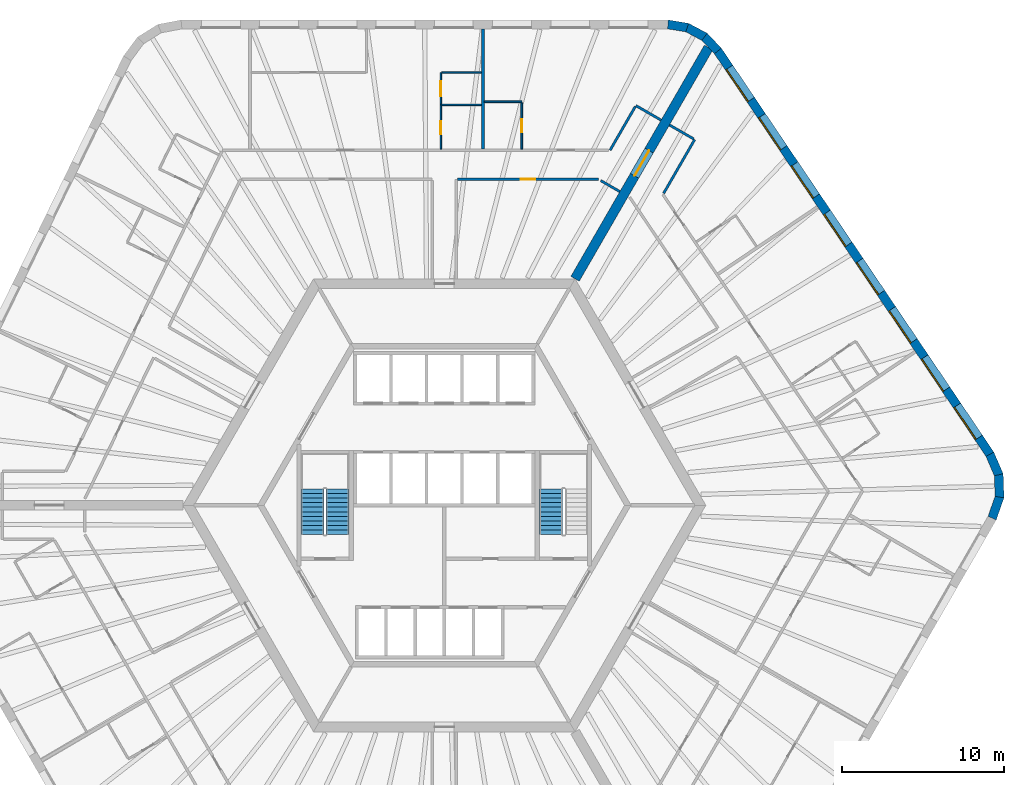
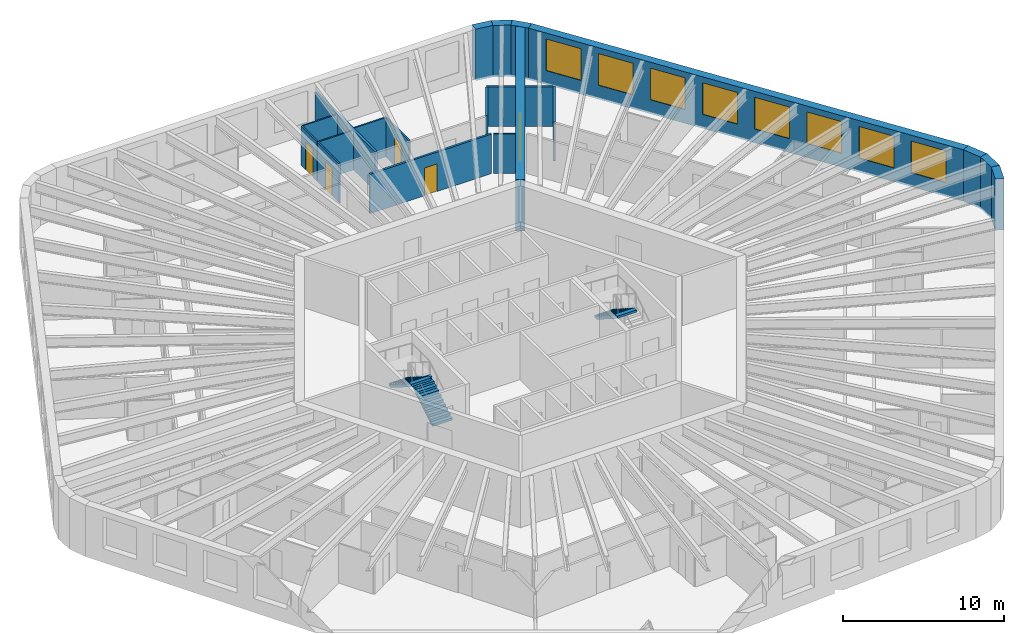
# One storey, part 10 of 12: 21 walls, 8 windows, 5 doors, 3 stair flights, 13 openings, 2 elements without a shape of their own.
"""IFC4 building model written with IfcOpenShell, lengths in metres."""

from ifc_helpers import new_model, si_unit, direction, frame, frame_2d, origin, place, context, subcontext, project, spatial, polyline, rectangle, outline, extrude, material, layer, layer_set, type_object, element, fill, aggregate, save


model = new_model("IFC4")

# Units and contexts
model_context = context("Model", 3, precision=1e-05, world=origin(), true_north=direction((0.0, 1.0)))
body_context = subcontext(model_context, "Body", "Model", "MODEL_VIEW")
ifc_project = project(units=[si_unit("LENGTHUNIT", "METRE"), si_unit("AREAUNIT", "SQUARE_METRE"), si_unit("VOLUMEUNIT", "CUBIC_METRE"), si_unit("PLANEANGLEUNIT", "RADIAN"), si_unit("MASSUNIT", "GRAM", prefix="KILO")], contexts=[model_context])

# Site, building, storey
site_placement = place(None, origin())
site = spatial("IfcSite", under=ifc_project, at=site_placement, CompositionType="ELEMENT")
building_placement = place(site_placement, origin())
building = spatial("IfcBuilding", under=site, at=building_placement, Name="Tarnside Tower", CompositionType="ELEMENT")
storey_placement = place(building_placement, frame((0.0, 0.0, 64.800048828125)))
storey = spatial("IfcBuildingStorey", under=building, at=storey_placement, Name="L13", CompositionType="ELEMENT", Elevation=64.800048828125)

# Wall
ifc_material_1 = material(Name="Gypsum board partition on steel studs", Category="steel")
ifc_layer_1 = layer(ifc_material_1, 0.10009765625)
ifc_layer_set_1 = layer_set([ifc_layer_1], Name="Bathroom wall 100")
wall_type_1 = type_object("IfcWallType", Name="Bathroom wall 100", PredefinedType="PARTITIONING", material=ifc_layer_set_1)
wall_1_placement = place(storey_placement, frame((2.47900390625, 24.949951171875, 0.0), z_axis=(0.0, 0.0, 1.0), x_axis=(1.0, 0.0, 0.0)))
element("IfcWall", 1, at=wall_1_placement, inside=storey, type_object=wall_type_1, Name="Bathroom wall 03072", PredefinedType="PARTITIONING", context=body_context, shape_type="SweptSolid", body=[
    extrude(rectangle(XDim=2.31005859375, YDim=0.10009765625, at=frame_2d((1.155029296875, 0.0))), origin(), (0.0, 0.0, 1.0), 2.98779296875),
])

# Wall, opening, door
wall_2_placement = place(storey_placement, frame((4.7890625, 24.89990234375, 0.0), z_axis=(0.0, 0.0, 1.0), x_axis=(0.0, -1.0, 0.0)))
wall_2 = element("IfcWall", 2, at=wall_2_placement, inside=storey, type_object=wall_type_1, Name="Bathroom wall 03073", PredefinedType="PARTITIONING", context=body_context, shape_type="SweptSolid", body=[
    extrude(rectangle(XDim=2.875, YDim=0.10009765625, at=frame_2d((1.4375, 0.0))), origin(), (0.0, 0.0, 1.0), 2.98779296875),
])
opening_1_placement = place(wall_2_placement, frame((1.050048828125, 0.0, 0.0)))
opening_1 = element("IfcOpeningElement", 3, at=opening_1_placement, cuts=wall_2, Name="Opening D-B1", PredefinedType="OPENING", context=body_context, shape_type="SweptSolid", body=[
    extrude(rectangle(XDim=0.800048828125, YDim=2.10009765625, at=frame_2d((0.39990234375, 1.050048828125))), frame((0.0, 0.06005859375, 0.0), z_axis=(0.0, -1.0, 0.0), x_axis=(1.0, 0.0, 0.0)), (0.0, 0.0, 1.0), 0.1201171875),
])
ifc_material_2 = material(Name="Timber door leaf", Category="wood")
door_type_1 = type_object("IfcDoorType", Name="Bathroom door 800", OperationType="NOTDEFINED", PredefinedType="DOOR", material=ifc_material_2)
door_1_placement = place(opening_1_placement, origin())
door_1 = element("IfcDoor", 4, at=door_1_placement, inside=storey, type_object=door_type_1, Name="Bathroom door 03002", OperationType="SINGLE_SWING_LEFT", OverallHeight=2.10009765625, OverallWidth=0.800048828125, PredefinedType="DOOR", context=body_context, shape_type="SweptSolid", body=[
    extrude(rectangle(XDim=0.800048828125, YDim=2.10009765625, at=frame_2d((0.39990234375, 1.050048828125))), frame((0.0, 0.02490234375, 0.0), z_axis=(0.0, -1.0, 0.0), x_axis=(1.0, 0.0, 0.0)), (0.0, 0.0, 1.0), 0.050048828125),
])
fill(opening_1, door_1)

wall_3_placement = place(storey_placement, frame((-0.2109375, 22.02490234375, 0.0), z_axis=(0.0, 0.0, 1.0), x_axis=(0.0, 1.0, 0.0)))
wall_3 = element("IfcWall", 5, at=wall_3_placement, inside=storey, type_object=wall_type_1, Name="Bathroom wall 03078", PredefinedType="PARTITIONING", context=body_context, shape_type="SweptSolid", body=[
    extrude(rectangle(XDim=2.72509765625, YDim=0.10009765625, at=frame_2d((1.362548828125, 0.0))), origin(), (0.0, 0.0, 1.0), 2.98779296875),
])
opening_2_placement = place(wall_3_placement, frame((0.925048828125, 0.0, 0.0)))
opening_2 = element("IfcOpeningElement", 6, at=opening_2_placement, cuts=wall_3, Name="Opening D-B1", PredefinedType="OPENING", context=body_context, shape_type="SweptSolid", body=[
    extrude(rectangle(XDim=0.800048828125, YDim=2.10009765625, at=frame_2d((0.39990234375, 1.050048828125))), frame((0.0, 0.06005859375, 0.0), z_axis=(0.0, -1.0, 0.0), x_axis=(1.0, 0.0, 0.0)), (0.0, 0.0, 1.0), 0.1201171875),
])
door_2_placement = place(opening_2_placement, origin())
door_2 = element("IfcDoor", 7, at=door_2_placement, inside=storey, type_object=door_type_1, Name="Bathroom door 03004", OperationType="SINGLE_SWING_RIGHT", OverallHeight=2.10009765625, OverallWidth=0.800048828125, PredefinedType="DOOR", context=body_context, shape_type="SweptSolid", body=[
    extrude(rectangle(XDim=0.800048828125, YDim=2.10009765625, at=frame_2d((0.39990234375, 1.050048828125))), frame((0.0, 0.02490234375, 0.0), z_axis=(0.0, -1.0, 0.0), x_axis=(1.0, 0.0, 0.0)), (0.0, 0.0, 1.0), 0.050048828125),
])
fill(opening_2, door_2)

# Wall
wall_4_placement = place(storey_placement, frame((2.298828125, 24.75, 0.0), z_axis=(0.0, 0.0, 1.0), x_axis=(-1.0, 0.0, 0.0)))
element("IfcWall", 8, at=wall_4_placement, inside=storey, type_object=wall_type_1, Name="Bathroom wall 03084", PredefinedType="PARTITIONING", context=body_context, shape_type="SweptSolid", body=[
    extrude(rectangle(XDim=2.4599609375, YDim=0.10009765625, at=frame_2d((1.22998046875, 0.0))), origin(), (0.0, 0.0, 1.0), 2.98779296875),
])

# Wall, opening, door
ifc_material_3 = material(Name="Concrete C80/95", Category="concrete")
ifc_layer_2 = layer(ifc_material_3, 0.60009765625)
ifc_layer_set_2 = layer_set([ifc_layer_2], Name="Core wall Z1 600 C80/95")
wall_type_2 = type_object("IfcWallType", Name="Core wall Z1 600 C80/95", PredefinedType="SHEAR", material=ifc_layer_set_2)
wall_5_placement = place(storey_placement, frame((8.0830078125, 14.0, -0.150146484375), z_axis=(0.0, 0.0, 1.0), x_axis=(0.499997680643, 0.866026742862, 0.0)))
wall_5 = element("IfcWall", 9, at=wall_5_placement, inside=storey, type_object=wall_type_2, Name="L13 spine wall 1", PredefinedType="SHEAR", context=body_context, shape_type="SweptSolid", body=[
    extrude(rectangle(XDim=16.5087890625, YDim=0.60009765625, at=frame_2d((8.25439453125, 0.0))), origin(), (0.0, 0.0, 1.0), 3.900146484375),
])
opening_3_placement = place(wall_5_placement, frame((7.3544921875, 0.0, 0.14990234375)))
opening_3 = element("IfcOpeningElement", 10, at=opening_3_placement, cuts=wall_5, Name="Opening CD-SPN", PredefinedType="OPENING", context=body_context, shape_type="SweptSolid", body=[
    extrude(rectangle(XDim=1.800048828125, YDim=2.39990234375, at=frame_2d((0.89990234375, 1.199951171875))), frame((0.0, 0.31005859375, 0.0), z_axis=(0.0, -1.0, 0.0), x_axis=(1.0, 0.0, 0.0)), (0.0, 0.0, 1.0), 0.6201171875),
])
ifc_material_4 = material(Name="Steel fire door", Category="steel")
door_type_2 = type_object("IfcDoorType", Name="Spine passage double door FD60 1800x2400", OperationType="NOTDEFINED", PredefinedType="DOOR", material=ifc_material_4)
door_3_placement = place(opening_3_placement, origin())
door_3 = element("IfcDoor", 11, at=door_3_placement, inside=storey, type_object=door_type_2, Name="L13 spine passage door 1", OperationType="DOUBLE_DOOR_SINGLE_SWING", OverallHeight=2.39990234375, OverallWidth=1.800048828125, PredefinedType="DOOR", context=body_context, shape_type="SweptSolid", body=[
    extrude(rectangle(XDim=1.800048828125, YDim=2.39990234375, at=frame_2d((0.89990234375, 1.199951171875))), frame((0.0, 0.02490234375, 0.0), z_axis=(0.0, -1.0, 0.0), x_axis=(1.0, 0.0, 0.0)), (0.0, 0.0, 1.0), 0.050048828125),
])
fill(opening_3, door_3)

# Walls
ifc_layer_3 = layer(ifc_material_1, 0.14990234375)
ifc_layer_set_3 = layer_set([ifc_layer_3], Name="Corridor wall 150 EI 60")
wall_type_3 = type_object("IfcWallType", Name="Corridor wall 150 EI 60", PredefinedType="PARTITIONING", material=ifc_layer_set_3)
wall_6_placement = place(storey_placement, frame((13.400390625, 23.81005859375, 0.0), z_axis=(0.0, 0.0, 1.0), x_axis=(-0.865989075817, 0.500062916607, 0.0)))
element("IfcWall", 12, at=wall_6_placement, inside=storey, type_object=wall_type_3, Name="Corridor wall 03001", PredefinedType="PARTITIONING", context=body_context, shape_type="SweptSolid", body=[
    extrude(rectangle(XDim=1.800048828125, YDim=0.14990234375, at=frame_2d((0.89990234375, 0.0))), origin(), (0.0, 0.0, 1.0), 2.98779296875),
])
wall_7_placement = place(storey_placement, frame((11.803955078125, 24.64501953125, 0.0), z_axis=(0.0, 0.0, 1.0), x_axis=(-0.499978251519, -0.866037959912, 0.0)))
element("IfcWall", 13, at=wall_7_placement, inside=storey, type_object=wall_type_3, Name="Corridor wall 03002", PredefinedType="PARTITIONING", context=body_context, shape_type="SweptSolid", body=[
    extrude(rectangle(XDim=3.112060546875, YDim=0.14990234375, at=frame_2d((1.55615234375, 0.0))), origin(), (0.0, 0.0, 1.0), 2.98779296875),
])

# Wall, opening, door
wall_8_placement = place(storey_placement, frame((0.824951171875, 20.14990234375, 0.0), z_axis=(0.0, 0.0, 1.0), x_axis=(1.0, 0.0, 0.0)))
wall_8 = element("IfcWall", 14, at=wall_8_placement, inside=storey, type_object=wall_type_3, Name="Corridor wall 03022", PredefinedType="PARTITIONING", context=body_context, shape_type="SweptSolid", body=[
    extrude(rectangle(XDim=8.712158203125, YDim=0.14990234375, at=frame_2d((4.35595703125, 0.0))), origin(), (0.0, 0.0, 1.0), 2.98779296875),
])
opening_4_placement = place(wall_8_placement, frame((3.906005859375, 0.0, 0.0)))
opening_4 = element("IfcOpeningElement", 15, at=opening_4_placement, cuts=wall_8, Name="Opening D-S1", PredefinedType="OPENING", context=body_context, shape_type="SweptSolid", body=[
    extrude(rectangle(XDim=0.89990234375, YDim=2.10009765625, at=frame_2d((0.449951171875, 1.050048828125))), frame((0.0, 0.0849609375, 0.0), z_axis=(0.0, -1.0, 0.0), x_axis=(1.0, 0.0, 0.0)), (0.0, 0.0, 1.0), 0.169921875),
])
door_type_3 = type_object("IfcDoorType", Name="Service room door 900 FD30S", OperationType="NOTDEFINED", PredefinedType="DOOR", material=ifc_material_2)
door_4_placement = place(opening_4_placement, origin())
door_4 = element("IfcDoor", 16, at=door_4_placement, inside=storey, type_object=door_type_3, Name="Service door 03040", OperationType="SINGLE_SWING_RIGHT", OverallHeight=2.10009765625, OverallWidth=0.89990234375, PredefinedType="DOOR", context=body_context, shape_type="SweptSolid", body=[
    extrude(rectangle(XDim=0.89990234375, YDim=2.10009765625, at=frame_2d((0.449951171875, 1.050048828125))), frame((0.0, 0.02490234375, 0.0), z_axis=(0.0, -1.0, 0.0), x_axis=(1.0, 0.0, 0.0)), (0.0, 0.0, 1.0), 0.050048828125),
])
fill(opening_4, door_4)

# Walls
wall_9_placement = place(storey_placement, frame((9.6669921875, 20.074951171875, 0.0), z_axis=(0.0, 0.0, 1.0), x_axis=(0.866000994684, -0.500042275419, 0.0)))
element("IfcWall", 17, at=wall_9_placement, inside=storey, type_object=wall_type_3, Name="Corridor wall 03023", PredefinedType="PARTITIONING", context=body_context, shape_type="SweptSolid", body=[
    extrude(rectangle(XDim=1.36572265625, YDim=0.14990234375, at=frame_2d((0.682861328125, 0.0))), origin(), (0.0, 0.0, 1.0), 2.98779296875),
])
wall_10_placement = place(storey_placement, frame((13.55908203125, 19.284912109375, 0.0), z_axis=(0.0, 0.0, 1.0), x_axis=(0.499975646431, 0.866039463868, 0.0)))
element("IfcWall", 18, at=wall_10_placement, inside=storey, type_object=wall_type_3, Name="Corridor wall 03060", PredefinedType="PARTITIONING", context=body_context, shape_type="SweptSolid", body=[
    extrude(rectangle(XDim=3.839599609375, YDim=0.14990234375, at=frame_2d((1.919921875, 0.0))), origin(), (0.0, 0.0, 1.0), 2.98779296875),
])
wall_11_placement = place(storey_placement, frame((15.413818359375, 22.647705078125, 0.0), z_axis=(0.0, 0.0, 1.0), x_axis=(-0.866074815912, 0.499914405916, 0.0)))
element("IfcWall", 19, at=wall_11_placement, inside=storey, type_object=wall_type_3, Name="Corridor wall 03061", PredefinedType="PARTITIONING", context=body_context, shape_type="SweptSolid", body=[
    extrude(rectangle(XDim=1.724853515625, YDim=0.14990234375, at=frame_2d((0.8623046875, 0.0))), origin(), (0.0, 0.0, 1.0), 2.98779296875),
])
ifc_layer_4 = layer(ifc_material_1, 0.179931640625)
ifc_layer_set_4 = layer_set([ifc_layer_4], Name="Demising wall 180 EI 60")
wall_type_4 = type_object("IfcWallType", Name="Demising wall 180 EI 60", PredefinedType="PARTITIONING", material=ifc_layer_set_4)
wall_12_placement = place(storey_placement, frame((2.388916015625, 29.449951171875, 0.0), z_axis=(0.0, 0.0, 1.0), x_axis=(0.0, -1.0, 0.0)))
element("IfcWall", 20, at=wall_12_placement, inside=storey, type_object=wall_type_4, Name="Demising wall 03074", PredefinedType="PARTITIONING", context=body_context, shape_type="SweptSolid", body=[
    extrude(rectangle(XDim=7.425048828125, YDim=0.179931640625, at=frame_2d((3.71240234375, 0.0))), origin(), (0.0, 0.0, 1.0), 2.98779296875),
])

# Wall, opening, door
ifc_layer_5 = layer(ifc_material_1, 0.10009765625)
ifc_layer_set_5 = layer_set([ifc_layer_5], Name="Partition 100")
wall_type_5 = type_object("IfcWallType", Name="Partition 100", PredefinedType="PARTITIONING", material=ifc_layer_set_5)
wall_13_placement = place(storey_placement, frame((-0.2109375, 24.800048828125, 0.0), z_axis=(0.0, 0.0, 1.0), x_axis=(0.0, 1.0, 0.0)))
wall_13 = element("IfcWall", 21, at=wall_13_placement, inside=storey, type_object=wall_type_5, Name="Partition wall 03079", PredefinedType="PARTITIONING", context=body_context, shape_type="SweptSolid", body=[
    extrude(rectangle(XDim=1.949951171875, YDim=0.10009765625, at=frame_2d((0.97509765625, 0.0))), origin(), (0.0, 0.0, 1.0), 2.98779296875),
])
opening_5_placement = place(wall_13_placement, frame((0.5, 0.0, 0.0)))
opening_5 = element("IfcOpeningElement", 22, at=opening_5_placement, cuts=wall_13, Name="Opening D-I1", PredefinedType="OPENING", context=body_context, shape_type="SweptSolid", body=[
    extrude(rectangle(XDim=0.89990234375, YDim=2.10009765625, at=frame_2d((0.449951171875, 1.050048828125))), frame((0.0, 0.06005859375, 0.0), z_axis=(0.0, -1.0, 0.0), x_axis=(1.0, 0.0, 0.0)), (0.0, 0.0, 1.0), 0.1201171875),
])
door_type_4 = type_object("IfcDoorType", Name="Internal door 900", OperationType="NOTDEFINED", PredefinedType="DOOR", material=ifc_material_2)
door_5_placement = place(opening_5_placement, origin())
door_5 = element("IfcDoor", 23, at=door_5_placement, inside=storey, type_object=door_type_4, Name="Internal door 03005", OperationType="SINGLE_SWING_RIGHT", OverallHeight=2.10009765625, OverallWidth=0.89990234375, PredefinedType="DOOR", context=body_context, shape_type="SweptSolid", body=[
    extrude(rectangle(XDim=0.89990234375, YDim=2.10009765625, at=frame_2d((0.449951171875, 1.050048828125))), frame((0.0, 0.02490234375, 0.0), z_axis=(0.0, -1.0, 0.0), x_axis=(1.0, 0.0, 0.0)), (0.0, 0.0, 1.0), 0.050048828125),
])
fill(opening_5, door_5)

# Walls
wall_14_placement = place(storey_placement, frame((-0.1611328125, 26.75, 0.0), z_axis=(0.0, 0.0, 1.0), x_axis=(1.0, 0.0, 0.0)))
element("IfcWall", 24, at=wall_14_placement, inside=storey, type_object=wall_type_5, Name="Partition wall 03080", PredefinedType="PARTITIONING", context=body_context, shape_type="SweptSolid", body=[
    extrude(rectangle(XDim=2.4599609375, YDim=0.10009765625, at=frame_2d((1.22998046875, 0.0))), origin(), (0.0, 0.0, 1.0), 2.98779296875),
])
ifc_material_5 = material(Name="Facing brick", Category="masonry")
ifc_layer_6 = layer(ifc_material_5, 0.10205078125)
ifc_material_6 = material(Name="Concrete C60/75 precast", Category="concrete")
ifc_layer_7 = layer(ifc_material_6, 0.347900390625)
ifc_material_7 = material(Name="Mineral wool insulation")
ifc_layer_8 = layer(ifc_material_7, 0.10009765625)
ifc_layer_set_6 = layer_set([ifc_layer_6, ifc_layer_7, ifc_layer_8], Name="Tube wall 550 brick faced")
wall_type_6 = type_object("IfcWallType", Name="Tube wall 550 brick faced", PredefinedType="SOLIDWALL", material=ifc_layer_set_6)
wall_15_placement = place(storey_placement, frame((33.865966796875, -0.79248046875, -0.150146484375), z_axis=(0.0, 0.0, 1.0), x_axis=(0.33111537203, 0.943590276765, 0.0)))
element("IfcWall", 25, at=wall_15_placement, inside=storey, type_object=wall_type_6, Name="Tube wall L13 F5 chord 17", PredefinedType="SOLIDWALL", context=body_context, shape_type="SweptSolid", body=[
    extrude(outline(polyline([(-0.025634765625, -0.27490234375), (1.4306640625, -0.27490234375), (1.3271484375, 0.27490234375), (0.025634765625, 0.27490234375), (-0.025634765625, -0.27490234375)])), origin(), (0.0, 0.0, 1.0), 3.900146484375),
])
wall_16_placement = place(storey_placement, frame((34.322509765625, 0.508544921875, -0.150146484375), z_axis=(0.0, 0.0, 1.0), x_axis=(-0.034876908462, 0.999391615562, 0.0)))
element("IfcWall", 26, at=wall_16_placement, inside=storey, type_object=wall_type_6, Name="Tube wall L13 F5 chord 18", PredefinedType="SOLIDWALL", context=body_context, shape_type="SweptSolid", body=[
    extrude(outline(polyline([(-0.0517578125, -0.27490234375), (1.4306640625, -0.27490234375), (1.3271484375, 0.27490234375), (0.0517578125, 0.27490234375), (-0.0517578125, -0.27490234375)])), origin(), (0.0, 0.0, 1.0), 3.900146484375),
])
wall_17_placement = place(storey_placement, frame((34.2744140625, 1.88671875, -0.150146484375), z_axis=(0.0, 0.0, 1.0), x_axis=(-0.396161342798, 0.918180913803, 0.0)))
element("IfcWall", 27, at=wall_17_placement, inside=storey, type_object=wall_type_6, Name="Tube wall L13 F5 chord 19", PredefinedType="SOLIDWALL", context=body_context, shape_type="SweptSolid", body=[
    extrude(outline(polyline([(-0.0517578125, -0.27490234375), (1.40478515625, -0.27490234375), (1.353515625, 0.27490234375), (0.0517578125, 0.27490234375), (-0.0517578125, -0.27490234375)])), origin(), (0.0, 0.0, 1.0), 3.900146484375),
])

# Wall, openings, windows
wall_18_placement = place(storey_placement, frame((33.72802734375, 3.153076171875, -0.150146484375), z_axis=(0.0, 0.0, 1.0), x_axis=(-0.559192411416, 0.82903790445, 0.0)))
wall_18 = element("IfcWall", 28, at=wall_18_placement, inside=storey, type_object=wall_type_6, Name="Tube wall L13 F6 flush 20", PredefinedType="SOLIDWALL", context=body_context, shape_type="SweptSolid", body=[
    extrude(outline(polyline([(-0.025634765625, -0.27490234375), (30.09326171875, -0.27490234375), (30.04833984375, 0.27490234375), (0.025634765625, 0.27490234375), (-0.025634765625, -0.27490234375)])), origin(), (0.0, 0.0, 1.0), 3.900146484375),
])
opening_6_placement = place(wall_18_placement, frame((1.235595703125, 0.0, 1.050048828125)))
opening_6 = element("IfcOpeningElement", 29, at=opening_6_placement, cuts=wall_18, Name="Opening WH", PredefinedType="OPENING", context=body_context, shape_type="SweptSolid", body=[
    extrude(rectangle(XDim=2.39990234375, YDim=2.39990234375, at=frame_2d((1.199951171875, 1.199951171875))), frame((0.0, 0.28515625, 0.0), z_axis=(0.0, -1.0, 0.0), x_axis=(1.0, 0.0, 0.0)), (0.0, 0.0, 1.0), 0.570068359375),
])
opening_7_placement = place(wall_18_placement, frame((4.83544921875, 0.0, 1.050048828125)))
opening_7 = element("IfcOpeningElement", 30, at=opening_7_placement, cuts=wall_18, Name="Opening WH", PredefinedType="OPENING", context=body_context, shape_type="SweptSolid", body=[
    extrude(rectangle(XDim=2.39990234375, YDim=2.39990234375, at=frame_2d((1.199951171875, 1.199951171875))), frame((0.0, 0.28515625, 0.0), z_axis=(0.0, -1.0, 0.0), x_axis=(1.0, 0.0, 0.0)), (0.0, 0.0, 1.0), 0.570068359375),
])
opening_8_placement = place(wall_18_placement, frame((8.435546875, 0.0, 1.050048828125)))
opening_8 = element("IfcOpeningElement", 31, at=opening_8_placement, cuts=wall_18, Name="Opening WH", PredefinedType="OPENING", context=body_context, shape_type="SweptSolid", body=[
    extrude(rectangle(XDim=2.39990234375, YDim=2.39990234375, at=frame_2d((1.199951171875, 1.199951171875))), frame((0.0, 0.28515625, 0.0), z_axis=(0.0, -1.0, 0.0), x_axis=(1.0, 0.0, 0.0)), (0.0, 0.0, 1.0), 0.570068359375),
])
opening_9_placement = place(wall_18_placement, frame((12.035400390625, 0.0, 1.050048828125)))
opening_9 = element("IfcOpeningElement", 32, at=opening_9_placement, cuts=wall_18, Name="Opening WH", PredefinedType="OPENING", context=body_context, shape_type="SweptSolid", body=[
    extrude(rectangle(XDim=2.39990234375, YDim=2.39990234375, at=frame_2d((1.199951171875, 1.199951171875))), frame((0.0, 0.28515625, 0.0), z_axis=(0.0, -1.0, 0.0), x_axis=(1.0, 0.0, 0.0)), (0.0, 0.0, 1.0), 0.570068359375),
])
opening_10_placement = place(wall_18_placement, frame((15.635498046875, 0.0, 1.050048828125)))
opening_10 = element("IfcOpeningElement", 33, at=opening_10_placement, cuts=wall_18, Name="Opening WH", PredefinedType="OPENING", context=body_context, shape_type="SweptSolid", body=[
    extrude(rectangle(XDim=2.39990234375, YDim=2.39990234375, at=frame_2d((1.199951171875, 1.199951171875))), frame((0.0, 0.28515625, 0.0), z_axis=(0.0, -1.0, 0.0), x_axis=(1.0, 0.0, 0.0)), (0.0, 0.0, 1.0), 0.570068359375),
])
opening_11_placement = place(wall_18_placement, frame((19.235595703125, 0.0, 1.050048828125)))
opening_11 = element("IfcOpeningElement", 34, at=opening_11_placement, cuts=wall_18, Name="Opening WH", PredefinedType="OPENING", context=body_context, shape_type="SweptSolid", body=[
    extrude(rectangle(XDim=2.39990234375, YDim=2.39990234375, at=frame_2d((1.199951171875, 1.199951171875))), frame((0.0, 0.28515625, 0.0), z_axis=(0.0, -1.0, 0.0), x_axis=(1.0, 0.0, 0.0)), (0.0, 0.0, 1.0), 0.570068359375),
])
opening_12_placement = place(wall_18_placement, frame((22.83544921875, 0.0, 1.050048828125)))
opening_12 = element("IfcOpeningElement", 35, at=opening_12_placement, cuts=wall_18, Name="Opening WH", PredefinedType="OPENING", context=body_context, shape_type="SweptSolid", body=[
    extrude(rectangle(XDim=2.39990234375, YDim=2.39990234375, at=frame_2d((1.199951171875, 1.199951171875))), frame((0.0, 0.28515625, 0.0), z_axis=(0.0, -1.0, 0.0), x_axis=(1.0, 0.0, 0.0)), (0.0, 0.0, 1.0), 0.570068359375),
])
opening_13_placement = place(wall_18_placement, frame((26.435546875, 0.0, 1.050048828125)))
opening_13 = element("IfcOpeningElement", 36, at=opening_13_placement, cuts=wall_18, Name="Opening WH", PredefinedType="OPENING", context=body_context, shape_type="SweptSolid", body=[
    extrude(rectangle(XDim=2.39990234375, YDim=2.39990234375, at=frame_2d((1.199951171875, 1.199951171875))), frame((0.0, 0.28515625, 0.0), z_axis=(0.0, -1.0, 0.0), x_axis=(1.0, 0.0, 0.0)), (0.0, 0.0, 1.0), 0.570068359375),
])
ifc_material_8 = material(Name="Aluminium-framed double glazing", Category="aluminium")
window_type = type_object("IfcWindowType", Name="Hotel window 2400 x 2400", PartitioningType="DOUBLE_PANEL_VERTICAL", PredefinedType="WINDOW", material=ifc_material_8)
window_1_placement = place(opening_6_placement, frame((0.0, 0.205078125, 0.0)))
window_1 = element("IfcWindow", 37, at=window_1_placement, inside=storey, type_object=window_type, Name="E.WN.L13.F6.00", OverallHeight=2.39990234375, OverallWidth=2.39990234375, PartitioningType="DOUBLE_PANEL_VERTICAL", PredefinedType="WINDOW", context=body_context, shape_type="SweptSolid", body=[
    extrude(rectangle(XDim=2.39990234375, YDim=2.39990234375, at=frame_2d((1.199951171875, 1.199951171875))), frame((0.0, 0.030029296875, 0.0), z_axis=(0.0, -1.0, 0.0), x_axis=(1.0, 0.0, 0.0)), (0.0, 0.0, 1.0), 0.06005859375),
])
fill(opening_6, window_1)
window_2_placement = place(opening_7_placement, frame((0.0, 0.205078125, 0.0)))
window_2 = element("IfcWindow", 38, at=window_2_placement, inside=storey, type_object=window_type, Name="E.WN.L13.F6.01", OverallHeight=2.39990234375, OverallWidth=2.39990234375, PartitioningType="DOUBLE_PANEL_VERTICAL", PredefinedType="WINDOW", context=body_context, shape_type="SweptSolid", body=[
    extrude(rectangle(XDim=2.39990234375, YDim=2.39990234375, at=frame_2d((1.199951171875, 1.199951171875))), frame((0.0, 0.030029296875, 0.0), z_axis=(0.0, -1.0, 0.0), x_axis=(1.0, 0.0, 0.0)), (0.0, 0.0, 1.0), 0.06005859375),
])
fill(opening_7, window_2)
window_3_placement = place(opening_8_placement, frame((0.0, 0.205078125, 0.0)))
window_3 = element("IfcWindow", 39, at=window_3_placement, inside=storey, type_object=window_type, Name="E.WN.L13.F6.02", OverallHeight=2.39990234375, OverallWidth=2.39990234375, PartitioningType="DOUBLE_PANEL_VERTICAL", PredefinedType="WINDOW", context=body_context, shape_type="SweptSolid", body=[
    extrude(rectangle(XDim=2.39990234375, YDim=2.39990234375, at=frame_2d((1.199951171875, 1.199951171875))), frame((0.0, 0.030029296875, 0.0), z_axis=(0.0, -1.0, 0.0), x_axis=(1.0, 0.0, 0.0)), (0.0, 0.0, 1.0), 0.06005859375),
])
fill(opening_8, window_3)
window_4_placement = place(opening_9_placement, frame((0.0, 0.205078125, 0.0)))
window_4 = element("IfcWindow", 40, at=window_4_placement, inside=storey, type_object=window_type, Name="E.WN.L13.F6.03", OverallHeight=2.39990234375, OverallWidth=2.39990234375, PartitioningType="DOUBLE_PANEL_VERTICAL", PredefinedType="WINDOW", context=body_context, shape_type="SweptSolid", body=[
    extrude(rectangle(XDim=2.39990234375, YDim=2.39990234375, at=frame_2d((1.199951171875, 1.199951171875))), frame((0.0, 0.030029296875, 0.0), z_axis=(0.0, -1.0, 0.0), x_axis=(1.0, 0.0, 0.0)), (0.0, 0.0, 1.0), 0.06005859375),
])
fill(opening_9, window_4)
window_5_placement = place(opening_10_placement, frame((0.0, 0.205078125, 0.0)))
window_5 = element("IfcWindow", 41, at=window_5_placement, inside=storey, type_object=window_type, Name="E.WN.L13.F6.04", OverallHeight=2.39990234375, OverallWidth=2.39990234375, PartitioningType="DOUBLE_PANEL_VERTICAL", PredefinedType="WINDOW", context=body_context, shape_type="SweptSolid", body=[
    extrude(rectangle(XDim=2.39990234375, YDim=2.39990234375, at=frame_2d((1.199951171875, 1.199951171875))), frame((0.0, 0.030029296875, 0.0), z_axis=(0.0, -1.0, 0.0), x_axis=(1.0, 0.0, 0.0)), (0.0, 0.0, 1.0), 0.06005859375),
])
fill(opening_10, window_5)
window_6_placement = place(opening_11_placement, frame((0.0, 0.205078125, 0.0)))
window_6 = element("IfcWindow", 42, at=window_6_placement, inside=storey, type_object=window_type, Name="E.WN.L13.F6.05", OverallHeight=2.39990234375, OverallWidth=2.39990234375, PartitioningType="DOUBLE_PANEL_VERTICAL", PredefinedType="WINDOW", context=body_context, shape_type="SweptSolid", body=[
    extrude(rectangle(XDim=2.39990234375, YDim=2.39990234375, at=frame_2d((1.199951171875, 1.199951171875))), frame((0.0, 0.030029296875, 0.0), z_axis=(0.0, -1.0, 0.0), x_axis=(1.0, 0.0, 0.0)), (0.0, 0.0, 1.0), 0.06005859375),
])
fill(opening_11, window_6)
window_7_placement = place(opening_12_placement, frame((0.0, 0.205078125, 0.0)))
window_7 = element("IfcWindow", 43, at=window_7_placement, inside=storey, type_object=window_type, Name="E.WN.L13.F6.06", OverallHeight=2.39990234375, OverallWidth=2.39990234375, PartitioningType="DOUBLE_PANEL_VERTICAL", PredefinedType="WINDOW", context=body_context, shape_type="SweptSolid", body=[
    extrude(rectangle(XDim=2.39990234375, YDim=2.39990234375, at=frame_2d((1.199951171875, 1.199951171875))), frame((0.0, 0.030029296875, 0.0), z_axis=(0.0, -1.0, 0.0), x_axis=(1.0, 0.0, 0.0)), (0.0, 0.0, 1.0), 0.06005859375),
])
fill(opening_12, window_7)
window_8_placement = place(opening_13_placement, frame((0.0, 0.205078125, 0.0)))
window_8 = element("IfcWindow", 44, at=window_8_placement, inside=storey, type_object=window_type, Name="E.WN.L13.F6.07", OverallHeight=2.39990234375, OverallWidth=2.39990234375, PartitioningType="DOUBLE_PANEL_VERTICAL", PredefinedType="WINDOW", context=body_context, shape_type="SweptSolid", body=[
    extrude(rectangle(XDim=2.39990234375, YDim=2.39990234375, at=frame_2d((1.199951171875, 1.199951171875))), frame((0.0, 0.030029296875, 0.0), z_axis=(0.0, -1.0, 0.0), x_axis=(1.0, 0.0, 0.0)), (0.0, 0.0, 1.0), 0.06005859375),
])
fill(opening_13, window_8)

# Walls
wall_19_placement = place(storey_placement, frame((16.91259765625, 28.0830078125, -0.150146484375), z_axis=(0.0, 0.0, 1.0), x_axis=(-0.686196220404, 0.727416488061, 0.0)))
element("IfcWall", 45, at=wall_19_placement, inside=storey, type_object=wall_type_6, Name="Tube wall L13 F6 chord 21", PredefinedType="SOLIDWALL", context=body_context, shape_type="SweptSolid", body=[
    extrude(outline(polyline([(-0.0224609375, -0.27490234375), (1.25341796875, -0.27490234375), (1.1630859375, 0.27490234375), (0.0224609375, 0.27490234375), (-0.0224609375, -0.27490234375)])), origin(), (0.0, 0.0, 1.0), 3.900146484375),
])
wall_20_placement = place(storey_placement, frame((16.08349609375, 28.9619140625, -0.150146484375), z_axis=(0.0, 0.0, 1.0), x_axis=(-0.882995347911, 0.469381737574, 0.0)))
element("IfcWall", 46, at=wall_20_placement, inside=storey, type_object=wall_type_6, Name="Tube wall L13 F6 chord 22", PredefinedType="SOLIDWALL", context=body_context, shape_type="SweptSolid", body=[
    extrude(outline(polyline([(-0.045166015625, -0.27490234375), (1.25341796875, -0.27490234375), (1.1630859375, 0.27490234375), (0.045166015625, 0.27490234375), (-0.045166015625, -0.27490234375)])), origin(), (0.0, 0.0, 1.0), 3.900146484375),
])
wall_21_placement = place(storey_placement, frame((15.0166015625, 29.529052734375, -0.150146484375), z_axis=(0.0, 0.0, 1.0), x_axis=(-0.986746625868, 0.162268593195, 0.0)))
element("IfcWall", 47, at=wall_21_placement, inside=storey, type_object=wall_type_6, Name="Tube wall L13 F6 chord 23", PredefinedType="SOLIDWALL", context=body_context, shape_type="SweptSolid", body=[
    extrude(outline(polyline([(-0.045166015625, -0.27490234375), (1.230712890625, -0.27490234375), (1.185791015625, 0.27490234375), (0.045166015625, 0.27490234375), (-0.045166015625, -0.27490234375)])), origin(), (0.0, 0.0, 1.0), 3.900146484375),
])

# Stair, stair flight
ifc_material_9 = material(Name="Concrete C40/50", Category="concrete")
stair_type = type_object("IfcStairType", Name="Exit stair 1400 clear", PredefinedType="HALF_TURN_STAIR", material=ifc_material_9)
stair_1_placement = place(storey_placement, origin())
stair_1 = element("IfcStair", 48, at=stair_1_placement, inside=storey, type_object=stair_type, Name="L13 Exit stair 1", PredefinedType="HALF_TURN_STAIR")
stair_flight_type = type_object("IfcStairFlightType", Name="Exit stair flight 1400", PredefinedType="STRAIGHT", material=ifc_material_9)
stair_flight_1_placement = place(storey_placement, frame((6.60009765625, 1.0, 1.949951171875), z_axis=(0.0, 0.0, 1.0), x_axis=(0.0, -1.0, 0.0)))
stair_flight_1 = element("IfcStairFlight", 49, at=stair_flight_1_placement, type_object=stair_flight_type, Name="ST1 flight 2", NumberOfRisers=11, NumberOfTreads=10, PredefinedType="STRAIGHT", RiserHeight=0.177272727, TreadLength=0.28, context=body_context, shape_type="SweptSolid", body=[
    extrude(outline(polyline([(0.0, 0.0), (0.0, 0.17724609375), (0.280029296875, 0.17724609375), (0.280029296875, 0.3544921875), (0.56005859375, 0.3544921875), (0.56005859375, 0.53173828125), (0.840087890625, 0.53173828125), (0.840087890625, 0.708984375), (1.1201171875, 0.708984375), (1.1201171875, 0.886474609375), (1.39990234375, 0.886474609375), (1.39990234375, 1.063720703125), (1.679931640625, 1.063720703125), (1.679931640625, 1.240966796875), (1.9599609375, 1.240966796875), (1.9599609375, 1.418212890625), (2.239990234375, 1.418212890625), (2.239990234375, 1.595458984375), (2.52001953125, 1.595458984375), (2.52001953125, 1.772705078125), (2.800048828125, 1.772705078125), (2.800048828125, 1.949951171875), (2.800048828125, 1.59521484375), (0.2802734375, 0.0), (0.0, 0.0)])), frame((0.0, 0.699951171875, 0.0), z_axis=(0.0, -1.0, 0.0), x_axis=(1.0, 0.0, 0.0)), (0.0, 0.0, 1.0), 1.39990234375),
])
aggregate(stair_1, [stair_flight_1])

# Stair, stair flights
stair_2_placement = place(storey_placement, origin())
stair_2 = element("IfcStair", 50, at=stair_2_placement, inside=storey, type_object=stair_type, Name="L13 Exit stair 2", PredefinedType="HALF_TURN_STAIR")
stair_flight_2_placement = place(storey_placement, frame((-6.60009765625, -1.800048828125, 0.0), z_axis=(0.0, 0.0, 1.0), x_axis=(0.0, 1.0, 0.0)))
stair_flight_2 = element("IfcStairFlight", 51, at=stair_flight_2_placement, type_object=stair_flight_type, Name="ST2 flight 1", NumberOfRisers=11, NumberOfTreads=10, PredefinedType="STRAIGHT", RiserHeight=0.177272727, TreadLength=0.28, context=body_context, shape_type="SweptSolid", body=[
    extrude(outline(polyline([(0.0, 0.0), (0.0, 0.17724609375), (0.280029296875, 0.17724609375), (0.280029296875, 0.3544921875), (0.56005859375, 0.3544921875), (0.56005859375, 0.53173828125), (0.840087890625, 0.53173828125), (0.840087890625, 0.708984375), (1.1201171875, 0.708984375), (1.1201171875, 0.886474609375), (1.39990234375, 0.886474609375), (1.39990234375, 1.063720703125), (1.679931640625, 1.063720703125), (1.679931640625, 1.240966796875), (1.9599609375, 1.240966796875), (1.9599609375, 1.418212890625), (2.239990234375, 1.418212890625), (2.239990234375, 1.595458984375), (2.52001953125, 1.595458984375), (2.52001953125, 1.772705078125), (2.800048828125, 1.772705078125), (2.800048828125, 1.949951171875), (2.800048828125, 1.59521484375), (0.2802734375, 0.0), (0.0, 0.0)])), frame((0.0, 0.699951171875, 0.0), z_axis=(0.0, -1.0, 0.0), x_axis=(1.0, 0.0, 0.0)), (0.0, 0.0, 1.0), 1.39990234375),
])
stair_flight_3_placement = place(storey_placement, frame((-8.14990234375, 1.0, 1.949951171875), z_axis=(0.0, 0.0, 1.0), x_axis=(0.0, -1.0, 0.0)))
stair_flight_3 = element("IfcStairFlight", 52, at=stair_flight_3_placement, type_object=stair_flight_type, Name="ST2 flight 2", NumberOfRisers=11, NumberOfTreads=10, PredefinedType="STRAIGHT", RiserHeight=0.177272727, TreadLength=0.28, context=body_context, shape_type="SweptSolid", body=[
    extrude(outline(polyline([(0.0, 0.0), (0.0, 0.17724609375), (0.280029296875, 0.17724609375), (0.280029296875, 0.3544921875), (0.56005859375, 0.3544921875), (0.56005859375, 0.53173828125), (0.840087890625, 0.53173828125), (0.840087890625, 0.708984375), (1.1201171875, 0.708984375), (1.1201171875, 0.886474609375), (1.39990234375, 0.886474609375), (1.39990234375, 1.063720703125), (1.679931640625, 1.063720703125), (1.679931640625, 1.240966796875), (1.9599609375, 1.240966796875), (1.9599609375, 1.418212890625), (2.239990234375, 1.418212890625), (2.239990234375, 1.595458984375), (2.52001953125, 1.595458984375), (2.52001953125, 1.772705078125), (2.800048828125, 1.772705078125), (2.800048828125, 1.949951171875), (2.800048828125, 1.59521484375), (0.2802734375, 0.0), (0.0, 0.0)])), frame((0.0, 0.699951171875, 0.0), z_axis=(0.0, -1.0, 0.0), x_axis=(1.0, 0.0, 0.0)), (0.0, 0.0, 1.0), 1.39990234375),
])
aggregate(stair_2, [stair_flight_2, stair_flight_3])

save(model, "model.ifc")
